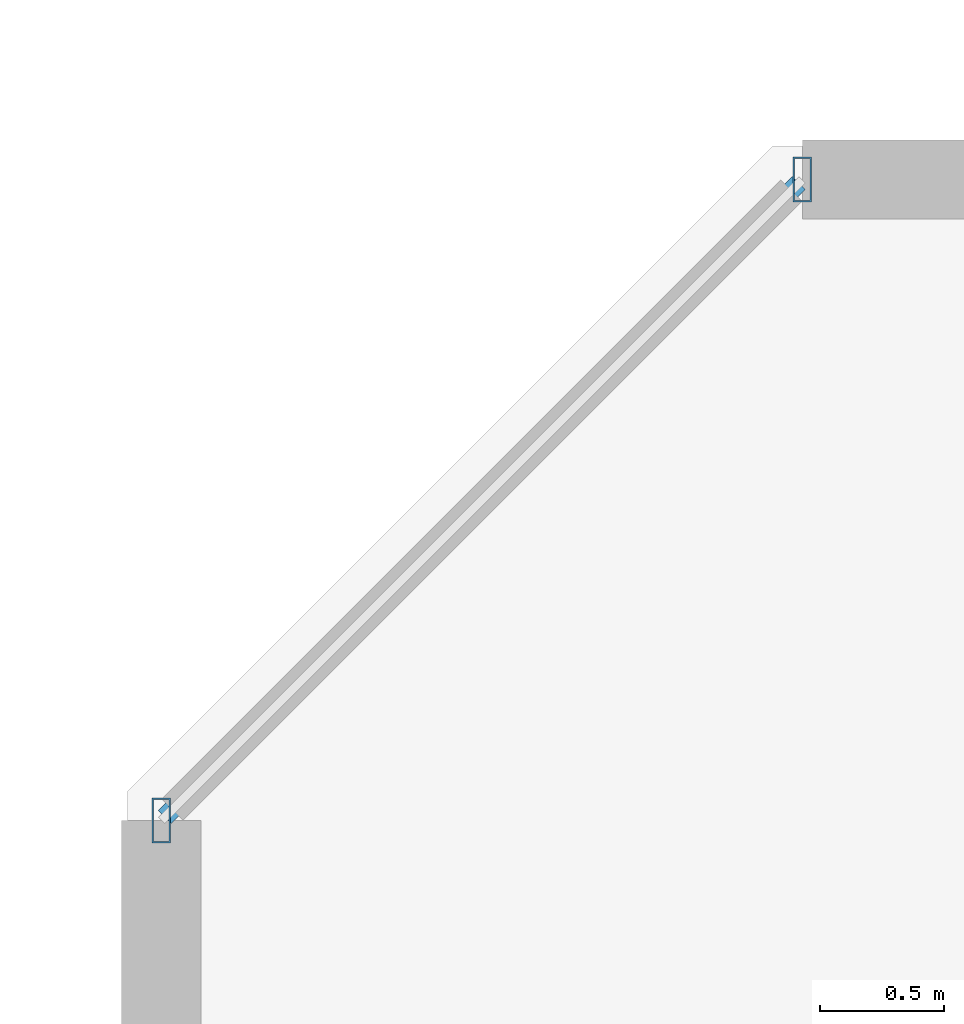
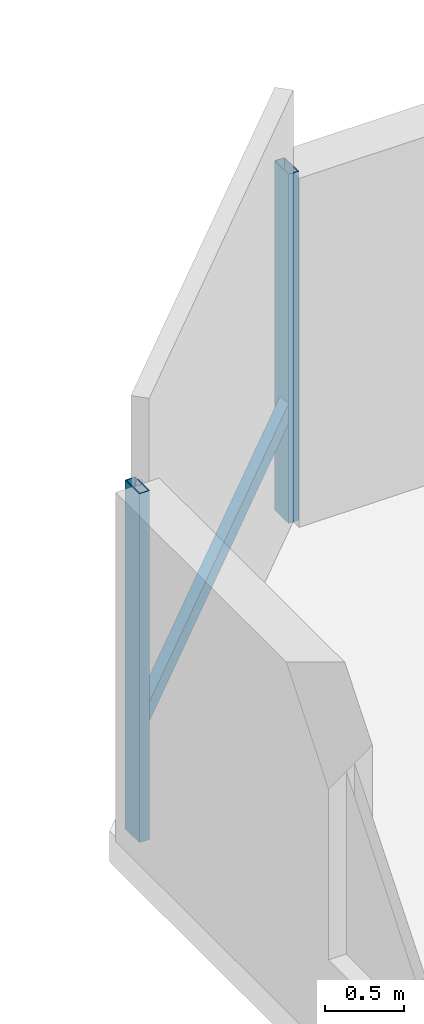
# One storey, part 15 of 33: 3 members, 1 element without a shape of its own.
"""IFC4 building model written with IfcOpenShell, lengths in metres."""

from ifc_helpers import new_model, si_unit, direction, frame, origin, origin_2d, place, context, subcontext, project, spatial, hollow_rectangle, extrude, material, material_profile, profile_set, type_object, element, aggregate, save


model = new_model("IFC4")

# Units and contexts
model_context = context("Model", 3, precision=1e-05, world=origin(), true_north=direction((0.0, 1.0)))
body_context = subcontext(model_context, "Body", "Model", "MODEL_VIEW")
ifc_project = project(units=[si_unit("LENGTHUNIT", "METRE"), si_unit("AREAUNIT", "SQUARE_METRE"), si_unit("VOLUMEUNIT", "CUBIC_METRE"), si_unit("PLANEANGLEUNIT", "RADIAN"), si_unit("MASSUNIT", "GRAM", prefix="KILO")], contexts=[model_context])

# Site, building, storey
site_placement = place(None, origin())
site = spatial("IfcSite", under=ifc_project, at=site_placement, CompositionType="ELEMENT")
building_placement = place(site_placement, origin())
building = spatial("IfcBuilding", under=site, at=building_placement, Name="Thornwick Lancets Civic Towers", CompositionType="ELEMENT")
storey_placement = place(building_placement, frame((0.0, 0.0, 214.5)))
storey = spatial("IfcBuildingStorey", under=building, at=storey_placement, Name="L57", CompositionType="ELEMENT", Elevation=214.5)

# Curtain wall, members
ifc_material_1 = material(Name="High-zone chamfered-corner unitised glass curtain wall", Category="glass")
curtain_wall_type = type_object("IfcCurtainWallType", Name="CW_SYS_05", PredefinedType="NOTDEFINED", material=ifc_material_1)
curtain_wall_placement = place(storey_placement, origin())
curtain_wall = element("IfcCurtainWall", 1, at=curtain_wall_placement, inside=storey, type_object=curtain_wall_type, Name="L57 Curtain Wall CW-L57-B-E5", PredefinedType="NOTDEFINED")
ifc_material_2 = material(Name="Thermally broken bronze aluminium S355", Category="steel")
ifc_material_profile_1 = material_profile(ifc_material_2, hollow_rectangle(XDim=0.074951171875, YDim=0.179931640625, WallThickness=0.006103515625, at=origin_2d()), Name="RHS 180x75x6")
ifc_profile_set_1 = profile_set([ifc_material_profile_1], Name="Thermally broken bronze aluminium S355")
member_type_1 = type_object("IfcMemberType", Name="CW_MUL_180", PredefinedType="MULLION", material=ifc_profile_set_1)
member_1_placement = place(storey_placement, frame((67.318603515625, 44.7646484375, 0.0), z_axis=(0.0, 0.0, 1.0), x_axis=(1.0, 0.0, 0.0)))
member_1 = element("IfcMember", 2, at=member_1_placement, type_object=member_type_1, Name="CW-L57-B-E5 Mullion 0", PredefinedType="MULLION", context=body_context, shape_type="SweptSolid", body=[
    extrude(hollow_rectangle(XDim=0.074951171875, YDim=0.179931640625, WallThickness=0.006103515625, at=origin_2d()), origin(), (0.0, 0.0, 1.0), 2.699951171875),
])
member_2_placement = place(storey_placement, frame((64.7353515625, 42.181396484375, 0.0), z_axis=(0.0, 0.0, 1.0), x_axis=(1.0, 0.0, 0.0)))
member_2 = element("IfcMember", 3, at=member_2_placement, type_object=member_type_1, Name="CW-L57-B-E5 Mullion 1", PredefinedType="MULLION", context=body_context, shape_type="SweptSolid", body=[
    extrude(hollow_rectangle(XDim=0.074951171875, YDim=0.179931640625, WallThickness=0.006103515625, at=origin_2d()), origin(), (0.0, 0.0, 1.0), 2.699951171875),
])
ifc_material_profile_2 = material_profile(ifc_material_2, hollow_rectangle(XDim=0.074951171875, YDim=0.14990234375, WallThickness=0.0048828125, at=origin_2d()), Name="RHS 150x75x5")
ifc_profile_set_2 = profile_set([ifc_material_profile_2], Name="Thermally broken bronze aluminium S355")
member_type_2 = type_object("IfcMemberType", Name="CW_TRN_150", PredefinedType="USERDEFINED", material=ifc_profile_set_2)
member_3_placement = place(storey_placement, frame((67.304443359375, 44.75048828125, 0.85009765625), z_axis=(-0.707106781187, -0.707106781187, 0.0), x_axis=(0.707106781187, -0.707106781187, 0.0)))
member_3 = element("IfcMember", 4, at=member_3_placement, type_object=member_type_2, Name="CW-L57-B-E5 Transom 0", ObjectType="TRANSOM", PredefinedType="USERDEFINED", context=body_context, shape_type="SweptSolid", body=[
    extrude(hollow_rectangle(XDim=0.074951171875, YDim=0.14990234375, WallThickness=0.0048828125, at=origin_2d()), origin(), (0.0, 0.0, 1.0), 3.61328125),
])
aggregate(curtain_wall, [member_1, member_2, member_3])

save(model, "model.ifc")
